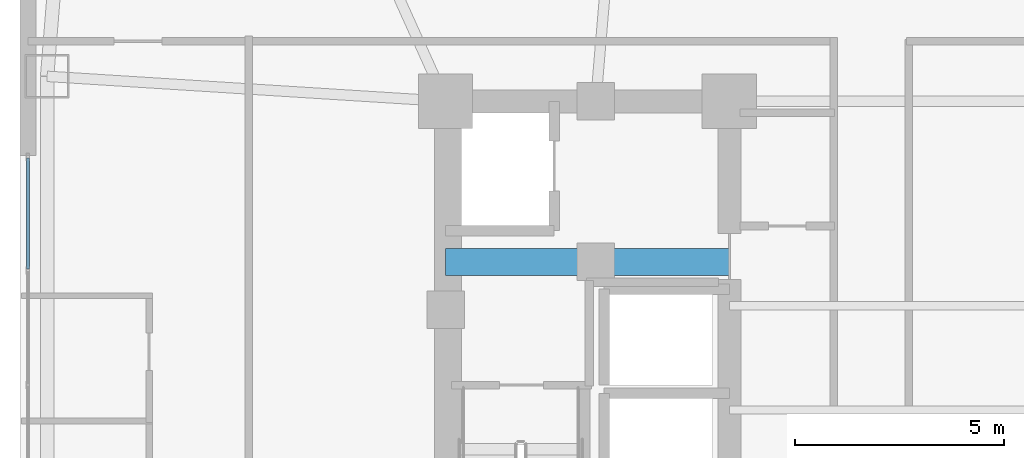
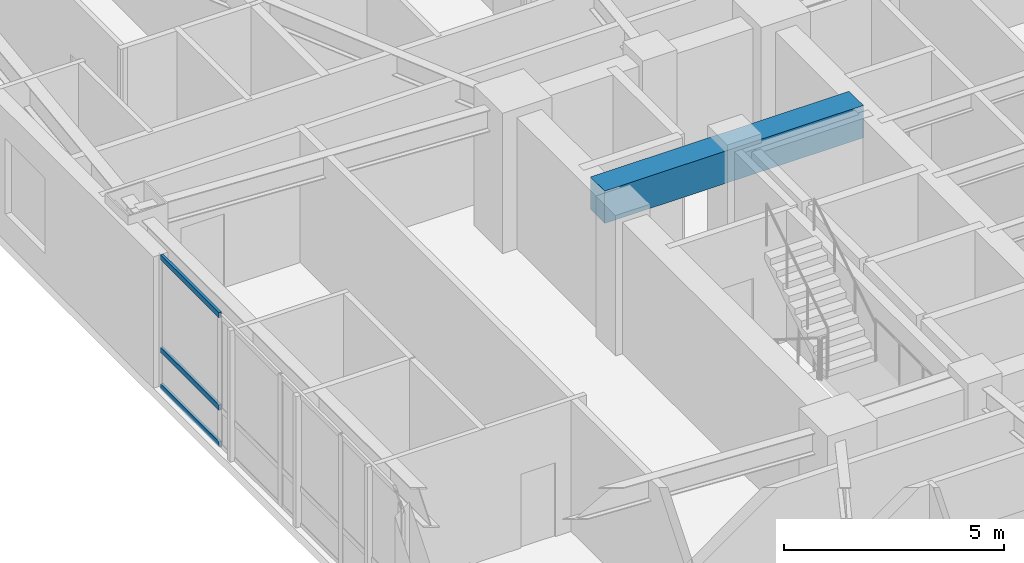
# One storey, part 7 of 28: 3 members, 1 beam, 1 element without a shape of its own.
"""IFC4 building model written with IfcOpenShell, lengths in metres."""

from ifc_helpers import new_model, si_unit, direction, frame, origin, origin_2d, place, context, subcontext, project, spatial, rectangle, hollow_rectangle, extrude, material, layer, layer_set, material_profile, profile_set, type_object, element, aggregate, save


model = new_model("IFC4")

# Units and contexts
model_context = context("Model", 3, precision=1e-05, world=origin(), true_north=direction((0.0, 1.0)))
body_context = subcontext(model_context, "Body", "Model", "MODEL_VIEW")
ifc_project = project(units=[si_unit("LENGTHUNIT", "METRE"), si_unit("AREAUNIT", "SQUARE_METRE"), si_unit("VOLUMEUNIT", "CUBIC_METRE"), si_unit("PLANEANGLEUNIT", "RADIAN"), si_unit("MASSUNIT", "GRAM", prefix="KILO")], contexts=[model_context])

# Site, building, storey
site_placement = place(None, origin())
site = spatial("IfcSite", under=ifc_project, at=site_placement, CompositionType="ELEMENT")
building_placement = place(site_placement, origin())
building = spatial("IfcBuilding", under=site, at=building_placement, Name="Voryun Gate Residences", CompositionType="ELEMENT")
storey_placement = place(building_placement, frame((0.0, 0.0, 117.0)))
storey = spatial("IfcBuildingStorey", under=building, at=storey_placement, Name="L28", CompositionType="ELEMENT", Elevation=117.0)

# Beam
ifc_material_1 = material(Name="Concrete C60/75", Category="concrete")
ifc_material_profile_1 = material_profile(ifc_material_1, rectangle(XDim=0.64990234375, YDim=0.89990234375, at=origin_2d()), Name="RC-650x900")
ifc_profile_set_1 = profile_set([ifc_material_profile_1], Name="Concrete C60/75")
beam_type = type_object("IfcBeamType", Name="BM_COUP_RC900", PredefinedType="LINTEL", material=ifc_profile_set_1)
beam_placement = place(storey_placement, frame((-19.199951171875, 3.550048828125, 3.199951171875), z_axis=(1.0, 0.0, 0.0), x_axis=(0.0, 1.0, 0.0)))
element("IfcBeam", 1, at=beam_placement, inside=storey, type_object=beam_type, Name="BM-L28-WC1", PredefinedType="LINTEL", context=body_context, shape_type="SweptSolid", body=[
    extrude(rectangle(XDim=0.64990234375, YDim=0.89990234375, at=origin_2d()), origin(), (0.0, 0.0, 1.0), 6.800048828125),
])

# Curtain wall, members
ifc_material_2 = material(Name="Anodised aluminium", Category="aluminium")
ifc_layer = layer(ifc_material_2, 0.179931640625, Name="CW_SYS_RES_A_DARK_GLASS")
ifc_layer_set = layer_set([ifc_layer], Name="Anodised aluminium")
curtain_wall_type = type_object("IfcCurtainWallType", Name="CW_SYS_RES_A_DARK_GLASS", PredefinedType="NOTDEFINED", material=ifc_layer_set)
curtain_wall_placement = place(storey_placement, origin())
curtain_wall = element("IfcCurtainWall", 2, at=curtain_wall_placement, inside=storey, type_object=curtain_wall_type, Name="Curtain wall CWT-L28-06", PredefinedType="NOTDEFINED")
ifc_material_3 = material(Name="Anodised aluminium", Category="aluminium")
ifc_material_profile_2 = material_profile(ifc_material_3, hollow_rectangle(XDim=0.070068359375, YDim=0.14990234375, WallThickness=0.00390625, at=origin_2d()), Name="ALU-TRAN-150x70x4")
ifc_profile_set_2 = profile_set([ifc_material_profile_2], Name="Anodised aluminium")
member_type = type_object("IfcMemberType", Name="CW_TRAN_RES", PredefinedType="USERDEFINED", material=ifc_profile_set_2)
member_1_placement = place(storey_placement, frame((-29.2099609375, 3.37890625, 0.030029296875), z_axis=(0.0, 1.0, 0.0), x_axis=(-1.0, 0.0, 0.0)))
member_1 = element("IfcMember", 3, at=member_1_placement, type_object=member_type, Name="CW3 transom 4.1", ObjectType="TRANSOM", PredefinedType="USERDEFINED", context=body_context, shape_type="SweptSolid", body=[
    extrude(hollow_rectangle(XDim=0.070068359375, YDim=0.14990234375, WallThickness=0.00390625, at=origin_2d()), origin(), (0.0, 0.0, 1.0), 2.6591796875),
])
member_2_placement = place(storey_placement, frame((-29.2099609375, 3.37890625, 1.050048828125), z_axis=(0.0, 1.0, 0.0), x_axis=(-1.0, 0.0, 0.0)))
member_2 = element("IfcMember", 4, at=member_2_placement, type_object=member_type, Name="CW3 transom 4.2", ObjectType="TRANSOM", PredefinedType="USERDEFINED", context=body_context, shape_type="SweptSolid", body=[
    extrude(hollow_rectangle(XDim=0.070068359375, YDim=0.14990234375, WallThickness=0.00390625, at=origin_2d()), origin(), (0.0, 0.0, 1.0), 2.6591796875),
])
member_3_placement = place(storey_placement, frame((-29.2099609375, 3.37890625, 3.6201171875), z_axis=(0.0, 1.0, 0.0), x_axis=(-1.0, 0.0, 0.0)))
member_3 = element("IfcMember", 5, at=member_3_placement, type_object=member_type, Name="CW3 transom 4.3", ObjectType="TRANSOM", PredefinedType="USERDEFINED", context=body_context, shape_type="SweptSolid", body=[
    extrude(hollow_rectangle(XDim=0.070068359375, YDim=0.14990234375, WallThickness=0.00390625, at=origin_2d()), origin(), (0.0, 0.0, 1.0), 2.6591796875),
])
aggregate(curtain_wall, [member_1, member_2, member_3])

save(model, "model.ifc")
